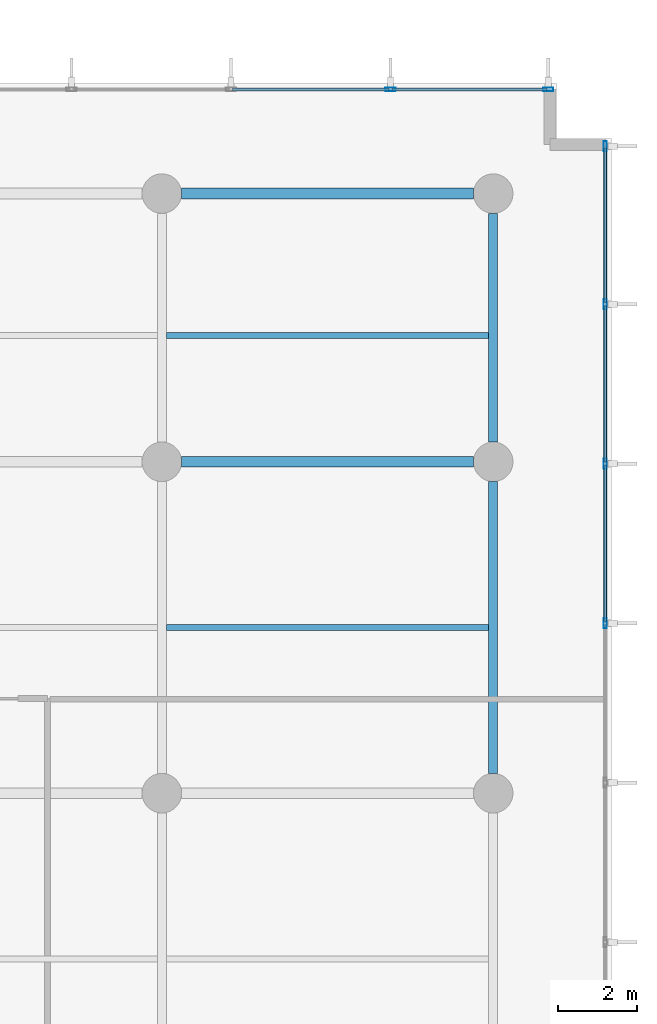
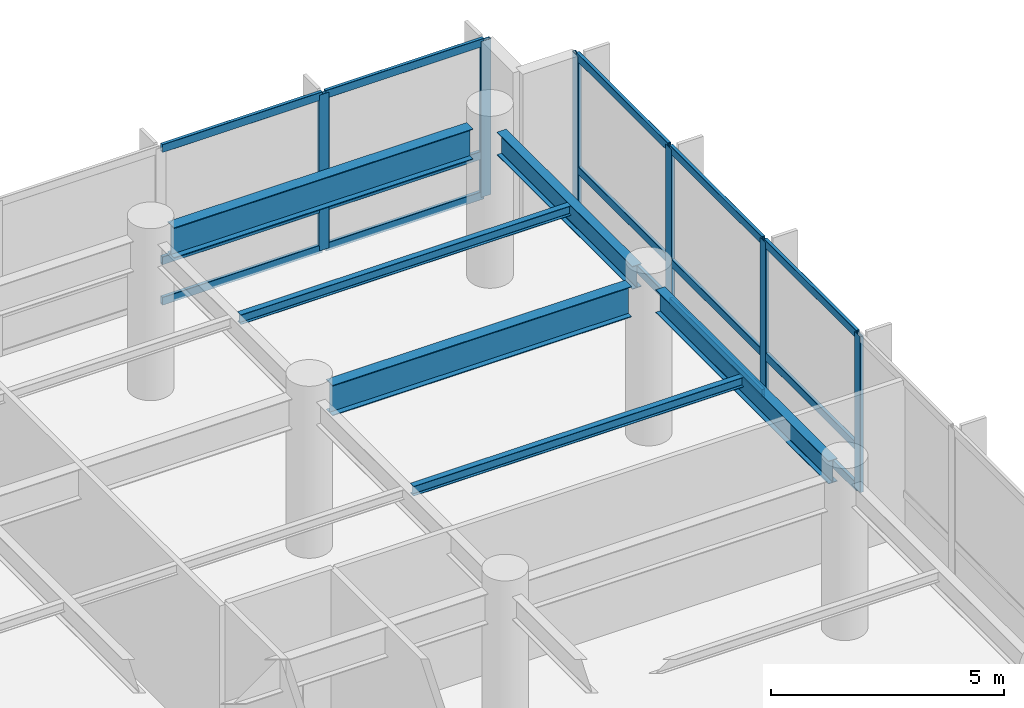
# One storey, part 12 of 23: 21 members, 6 beams, 2 elements without a shape of their own.
"""IFC4 building model written with IfcOpenShell, lengths in metres."""

from ifc_helpers import new_model, si_unit, direction, frame, origin, origin_2d, place, context, subcontext, project, spatial, hollow_rectangle, i_section, extrude, material, layer, layer_set, material_profile, profile_set, type_object, element, aggregate, save


model = new_model("IFC4")

# Units and contexts
model_context = context("Model", 3, precision=1e-05, world=origin(), true_north=direction((0.0, 1.0)))
body_context = subcontext(model_context, "Body", "Model", "MODEL_VIEW")
ifc_project = project(units=[si_unit("LENGTHUNIT", "METRE"), si_unit("AREAUNIT", "SQUARE_METRE"), si_unit("VOLUMEUNIT", "CUBIC_METRE"), si_unit("PLANEANGLEUNIT", "RADIAN"), si_unit("MASSUNIT", "GRAM", prefix="KILO")], contexts=[model_context])

# Site, building, storey
site_placement = place(None, origin())
site = spatial("IfcSite", under=ifc_project, at=site_placement, CompositionType="ELEMENT")
building_placement = place(site_placement, origin())
building = spatial("IfcBuilding", under=site, at=building_placement, Name="Varnakote Quay Hospital", CompositionType="ELEMENT")
storey_placement = place(building_placement, frame((0.0, 0.0, 18.0)))
storey = spatial("IfcBuildingStorey", under=building, at=storey_placement, Name="L04", CompositionType="ELEMENT", Elevation=18.0)

# Beams
ifc_material_1 = material(Name="Structural steel AS/NZS 3679.1 Grade 350 L0 (fy 340 MPa)", Category="steel")
ifc_material_profile_1 = material_profile(ifc_material_1, i_section(OverallWidth=0.22802734375, OverallDepth=0.60205078125, WebThickness=0.010498046875, FlangeThickness=0.014892578125, FilletRadius=0.013916015625, at=origin_2d()), Name="610UB101")
ifc_profile_set_1 = profile_set([ifc_material_profile_1], Name="Structural steel AS/NZS 3679.1 Grade 350 L0 (fy 340 MPa)")
beam_type_1 = type_object("IfcBeamType", Name="BM-STL-610UB101", PredefinedType="BEAM", material=ifc_profile_set_1)
beam_1_placement = place(storey_placement, frame((84.0, 29.300048828125, 3.779052734375), z_axis=(0.0, 1.0, 0.0), x_axis=(-1.0, 0.0, 0.0)))
element("IfcBeam", 1, at=beam_1_placement, inside=storey, type_object=beam_type_1, Name="L04 Primary Tie Beam", PredefinedType="BEAM", context=body_context, shape_type="SweptSolid", body=[
    extrude(i_section(OverallWidth=0.22802734375, OverallDepth=0.60205078125, WebThickness=0.010498046875, FlangeThickness=0.014892578125, FilletRadius=0.013916015625, at=origin_2d()), origin(), (0.0, 0.0, 1.0), 7.39990234375),
])
beam_2_placement = place(storey_placement, frame((84.0, 37.699951171875, 3.779052734375), z_axis=(0.0, 1.0, 0.0), x_axis=(-1.0, 0.0, 0.0)))
element("IfcBeam", 2, at=beam_2_placement, inside=storey, type_object=beam_type_1, Name="L04 Primary Tie Beam", PredefinedType="BEAM", context=body_context, shape_type="SweptSolid", body=[
    extrude(i_section(OverallWidth=0.22802734375, OverallDepth=0.60205078125, WebThickness=0.010498046875, FlangeThickness=0.014892578125, FilletRadius=0.013916015625, at=origin_2d()), origin(), (0.0, 0.0, 1.0), 5.800048828125),
])
ifc_material_2 = material(Name="Structural steel AS/NZS 3678 Grade 350 (fy 340 MPa)", Category="steel")
ifc_material_profile_2 = material_profile(ifc_material_2, i_section(OverallWidth=0.27490234375, OverallDepth=0.800048828125, WebThickness=0.010009765625, FlangeThickness=0.02001953125, at=origin_2d()), Name="800WB146")
ifc_profile_set_2 = profile_set([ifc_material_profile_2], Name="Structural steel AS/NZS 3678 Grade 350 (fy 340 MPa)")
beam_type_2 = type_object("IfcBeamType", Name="BM-STL-800WB146", PredefinedType="BEAM", material=ifc_profile_set_2)
for number, where, z_axis, x_axis, name in (
    (3, (76.10009765625, 37.199951171875, 3.679931640625), (1.0, 0.0, 0.0), (0.0, 1.0, 0.0), "L04 Plated Composite Transfer Beam"),
    (4, (76.10009765625, 44.0, 3.679931640625), (1.0, 0.0, 0.0), (0.0, 1.0, 0.0), "L04 Plated Composite Transfer Beam"),
):
    element("IfcBeam", number, at=place(storey_placement, frame(where, z_axis=z_axis, x_axis=x_axis)), inside=storey, type_object=beam_type_2, Name=name, PredefinedType="BEAM", context=body_context, shape_type="SweptSolid", body=[
        extrude(i_section(OverallWidth=0.27490234375, OverallDepth=0.800048828125, WebThickness=0.010009765625, FlangeThickness=0.02001953125, at=origin_2d()), origin(), (0.0, 0.0, 1.0), 7.39990234375),
    ])

# Curtain wall, members
ifc_material_3 = material(Name="Anodised aluminium 6063-T6 Bronze", Category="aluminium")
ifc_layer = layer(ifc_material_3, 0.175048828125)
ifc_layer_set = layer_set([ifc_layer], Name="Anodised aluminium 6063-T6 Bronze")
curtain_wall_type = type_object("IfcCurtainWallType", Name="CW-SYS-1", PredefinedType="NOTDEFINED", material=ifc_layer_set)
curtain_wall_1_placement = place(storey_placement, origin())
curtain_wall_1 = element("IfcCurtainWall", 5, at=curtain_wall_1_placement, inside=storey, type_object=curtain_wall_type, Name="L04 Unitised Bronze Curtain Wall 1", PredefinedType="NOTDEFINED")
ifc_material_4 = material(Name="Anodised aluminium 6063-T6 Bronze", Category="aluminium")
ifc_material_profile_3 = material_profile(ifc_material_4, hollow_rectangle(XDim=0.0849609375, YDim=0.260009765625, WallThickness=0.0048828125, InnerFilletRadius=0.0048828125, OuterFilletRadius=0.010009765625, at=origin_2d()), Name="CW-MULL-260x85")
ifc_profile_set_3 = profile_set([ifc_material_profile_3], Name="Anodised aluminium 6063-T6 Bronze")
member_type_1 = type_object("IfcMemberType", Name="CW-MULL-260x85", PredefinedType="MULLION", material=ifc_profile_set_3)
member_1_placement = place(storey_placement, frame((86.840087890625, 33.109130859375, 0.0), z_axis=(0.0, 0.0, 1.0), x_axis=(-1.0, 0.0, 0.0)))
member_1 = element("IfcMember", 6, at=member_1_placement, type_object=member_type_1, Name="-1-L04-1 mullion 9", PredefinedType="MULLION", context=body_context, shape_type="SweptSolid", body=[
    extrude(hollow_rectangle(XDim=0.0849609375, YDim=0.260009765625, WallThickness=0.0048828125, InnerFilletRadius=0.0048828125, OuterFilletRadius=0.010009765625, at=origin_2d()), origin(), (0.0, 0.0, 1.0), 4.080078125),
])
member_2_placement = place(storey_placement, frame((86.840087890625, 37.15283203125, 0.0), z_axis=(0.0, 0.0, 1.0), x_axis=(-1.0, 0.0, 0.0)))
member_2 = element("IfcMember", 7, at=member_2_placement, type_object=member_type_1, Name="-1-L04-1 mullion 10", PredefinedType="MULLION", context=body_context, shape_type="SweptSolid", body=[
    extrude(hollow_rectangle(XDim=0.0849609375, YDim=0.260009765625, WallThickness=0.0048828125, InnerFilletRadius=0.0048828125, OuterFilletRadius=0.010009765625, at=origin_2d()), origin(), (0.0, 0.0, 1.0), 4.080078125),
])
member_3_placement = place(storey_placement, frame((86.840087890625, 41.1962890625, 0.0), z_axis=(0.0, 0.0, 1.0), x_axis=(-1.0, 0.0, 0.0)))
member_3 = element("IfcMember", 8, at=member_3_placement, type_object=member_type_1, Name="-1-L04-1 mullion 11", PredefinedType="MULLION", context=body_context, shape_type="SweptSolid", body=[
    extrude(hollow_rectangle(XDim=0.0849609375, YDim=0.260009765625, WallThickness=0.0048828125, InnerFilletRadius=0.0048828125, OuterFilletRadius=0.010009765625, at=origin_2d()), origin(), (0.0, 0.0, 1.0), 4.080078125),
])
member_4_placement = place(storey_placement, frame((86.840087890625, 45.197509765625, 0.0), z_axis=(0.0, 0.0, 1.0), x_axis=(-1.0, 0.0, 0.0)))
member_4 = element("IfcMember", 9, at=member_4_placement, type_object=member_type_1, Name="-1-L04-1 mullion 12", PredefinedType="MULLION", context=body_context, shape_type="SweptSolid", body=[
    extrude(hollow_rectangle(XDim=0.0849609375, YDim=0.260009765625, WallThickness=0.0048828125, InnerFilletRadius=0.0048828125, OuterFilletRadius=0.010009765625, at=origin_2d()), origin(), (0.0, 0.0, 1.0), 4.080078125),
])

curtain_wall_2_placement = place(storey_placement, origin())
curtain_wall_2 = element("IfcCurtainWall", 10, at=curtain_wall_2_placement, inside=storey, type_object=curtain_wall_type, Name="L04 Unitised Bronze Curtain Wall 2", PredefinedType="NOTDEFINED")
member_5_placement = place(storey_placement, frame((85.3974609375, 46.639892578125, 0.0), z_axis=(0.0, 0.0, 1.0), x_axis=(0.0, -1.0, 0.0)))
member_5 = element("IfcMember", 11, at=member_5_placement, type_object=member_type_1, Name="-1-L04-2 mullion 1", PredefinedType="MULLION", context=body_context, shape_type="SweptSolid", body=[
    extrude(hollow_rectangle(XDim=0.0849609375, YDim=0.260009765625, WallThickness=0.0048828125, InnerFilletRadius=0.0048828125, OuterFilletRadius=0.010009765625, at=origin_2d()), origin(), (0.0, 0.0, 1.0), 4.080078125),
])
member_6_placement = place(storey_placement, frame((81.396484375, 46.639892578125, 0.0), z_axis=(0.0, 0.0, 1.0), x_axis=(0.0, -1.0, 0.0)))
member_6 = element("IfcMember", 12, at=member_6_placement, type_object=member_type_1, Name="-1-L04-2 mullion 2", PredefinedType="MULLION", context=body_context, shape_type="SweptSolid", body=[
    extrude(hollow_rectangle(XDim=0.0849609375, YDim=0.260009765625, WallThickness=0.0048828125, InnerFilletRadius=0.0048828125, OuterFilletRadius=0.010009765625, at=origin_2d()), origin(), (0.0, 0.0, 1.0), 4.080078125),
])

# Member
ifc_material_5 = material(Name="Anodised aluminium 6063-T6 Bronze", Category="aluminium")
ifc_material_profile_4 = material_profile(ifc_material_5, hollow_rectangle(XDim=0.0849609375, YDim=0.2099609375, WallThickness=0.00439453125, InnerFilletRadius=0.00439453125, OuterFilletRadius=0.009033203125, at=origin_2d()), Name="CW-TRAN-210x85")
ifc_profile_set_4 = profile_set([ifc_material_profile_4], Name="Anodised aluminium 6063-T6 Bronze")
member_type_2 = type_object("IfcMemberType", Name="CW-TRAN-210x85", PredefinedType="USERDEFINED", material=ifc_profile_set_4)
member_7_placement = place(storey_placement, frame((86.840087890625, 33.151611328125, 0.04248046875), z_axis=(0.0, 1.0, 0.0), x_axis=(-1.0, 0.0, 0.0)))
member_7 = element("IfcMember", 13, at=member_7_placement, type_object=member_type_2, Name="-1-L04-1 transom 9.1", ObjectType="TRANSOM", PredefinedType="USERDEFINED", context=body_context, shape_type="SweptSolid", body=[
    extrude(hollow_rectangle(XDim=0.0849609375, YDim=0.2099609375, WallThickness=0.00439453125, InnerFilletRadius=0.00439453125, OuterFilletRadius=0.009033203125, at=origin_2d()), origin(), (0.0, 0.0, 1.0), 3.95849609375),
])

member_8_placement = place(storey_placement, frame((86.840087890625, 33.151611328125, 1.10009765625), z_axis=(0.0, 1.0, 0.0), x_axis=(-1.0, 0.0, 0.0)))
member_8 = element("IfcMember", 14, at=member_8_placement, type_object=member_type_2, Name="-1-L04-1 transom 9.2", ObjectType="TRANSOM", PredefinedType="USERDEFINED", context=body_context, shape_type="SweptSolid", body=[
    extrude(hollow_rectangle(XDim=0.0849609375, YDim=0.2099609375, WallThickness=0.00439453125, InnerFilletRadius=0.00439453125, OuterFilletRadius=0.009033203125, at=origin_2d()), origin(), (0.0, 0.0, 1.0), 3.95849609375),
])

member_9_placement = place(storey_placement, frame((86.840087890625, 33.151611328125, 4.03759765625), z_axis=(0.0, 1.0, 0.0), x_axis=(-1.0, 0.0, 0.0)))
member_9 = element("IfcMember", 15, at=member_9_placement, type_object=member_type_2, Name="-1-L04-1 transom 9.3", ObjectType="TRANSOM", PredefinedType="USERDEFINED", context=body_context, shape_type="SweptSolid", body=[
    extrude(hollow_rectangle(XDim=0.0849609375, YDim=0.2099609375, WallThickness=0.00439453125, InnerFilletRadius=0.00439453125, OuterFilletRadius=0.009033203125, at=origin_2d()), origin(), (0.0, 0.0, 1.0), 3.95849609375),
])

member_10_placement = place(storey_placement, frame((86.840087890625, 37.1953125, 0.04248046875), z_axis=(0.0, 1.0, 0.0), x_axis=(-1.0, 0.0, 0.0)))
member_10 = element("IfcMember", 16, at=member_10_placement, type_object=member_type_2, Name="-1-L04-1 transom 10.1", ObjectType="TRANSOM", PredefinedType="USERDEFINED", context=body_context, shape_type="SweptSolid", body=[
    extrude(hollow_rectangle(XDim=0.0849609375, YDim=0.2099609375, WallThickness=0.00439453125, InnerFilletRadius=0.00439453125, OuterFilletRadius=0.009033203125, at=origin_2d()), origin(), (0.0, 0.0, 1.0), 3.95849609375),
])

member_11_placement = place(storey_placement, frame((86.840087890625, 37.1953125, 1.10009765625), z_axis=(0.0, 1.0, 0.0), x_axis=(-1.0, 0.0, 0.0)))
member_11 = element("IfcMember", 17, at=member_11_placement, type_object=member_type_2, Name="-1-L04-1 transom 10.2", ObjectType="TRANSOM", PredefinedType="USERDEFINED", context=body_context, shape_type="SweptSolid", body=[
    extrude(hollow_rectangle(XDim=0.0849609375, YDim=0.2099609375, WallThickness=0.00439453125, InnerFilletRadius=0.00439453125, OuterFilletRadius=0.009033203125, at=origin_2d()), origin(), (0.0, 0.0, 1.0), 3.95849609375),
])

member_12_placement = place(storey_placement, frame((86.840087890625, 37.1953125, 4.03759765625), z_axis=(0.0, 1.0, 0.0), x_axis=(-1.0, 0.0, 0.0)))
member_12 = element("IfcMember", 18, at=member_12_placement, type_object=member_type_2, Name="-1-L04-1 transom 10.3", ObjectType="TRANSOM", PredefinedType="USERDEFINED", context=body_context, shape_type="SweptSolid", body=[
    extrude(hollow_rectangle(XDim=0.0849609375, YDim=0.2099609375, WallThickness=0.00439453125, InnerFilletRadius=0.00439453125, OuterFilletRadius=0.009033203125, at=origin_2d()), origin(), (0.0, 0.0, 1.0), 3.95849609375),
])

member_13_placement = place(storey_placement, frame((86.840087890625, 41.23876953125, 0.04248046875), z_axis=(0.0, 1.0, 0.0), x_axis=(-1.0, 0.0, 0.0)))
member_13 = element("IfcMember", 19, at=member_13_placement, type_object=member_type_2, Name="-1-L04-1 transom 11.1", ObjectType="TRANSOM", PredefinedType="USERDEFINED", context=body_context, shape_type="SweptSolid", body=[
    extrude(hollow_rectangle(XDim=0.0849609375, YDim=0.2099609375, WallThickness=0.00439453125, InnerFilletRadius=0.00439453125, OuterFilletRadius=0.009033203125, at=origin_2d()), origin(), (0.0, 0.0, 1.0), 3.916259765625),
])

member_14_placement = place(storey_placement, frame((86.840087890625, 41.23876953125, 1.10009765625), z_axis=(0.0, 1.0, 0.0), x_axis=(-1.0, 0.0, 0.0)))
member_14 = element("IfcMember", 20, at=member_14_placement, type_object=member_type_2, Name="-1-L04-1 transom 11.2", ObjectType="TRANSOM", PredefinedType="USERDEFINED", context=body_context, shape_type="SweptSolid", body=[
    extrude(hollow_rectangle(XDim=0.0849609375, YDim=0.2099609375, WallThickness=0.00439453125, InnerFilletRadius=0.00439453125, OuterFilletRadius=0.009033203125, at=origin_2d()), origin(), (0.0, 0.0, 1.0), 3.916259765625),
])

member_15_placement = place(storey_placement, frame((86.840087890625, 41.23876953125, 4.03759765625), z_axis=(0.0, 1.0, 0.0), x_axis=(-1.0, 0.0, 0.0)))
member_15 = element("IfcMember", 21, at=member_15_placement, type_object=member_type_2, Name="-1-L04-1 transom 11.3", ObjectType="TRANSOM", PredefinedType="USERDEFINED", context=body_context, shape_type="SweptSolid", body=[
    extrude(hollow_rectangle(XDim=0.0849609375, YDim=0.2099609375, WallThickness=0.00439453125, InnerFilletRadius=0.00439453125, OuterFilletRadius=0.009033203125, at=origin_2d()), origin(), (0.0, 0.0, 1.0), 3.916259765625),
])

aggregate(curtain_wall_1, [member_1, member_2, member_3, member_4, member_7, member_8, member_9, member_10, member_11, member_12, member_13, member_14, member_15])

member_16_placement = place(storey_placement, frame((85.35498046875, 46.639892578125, 0.04248046875), z_axis=(-1.0, 0.0, 0.0), x_axis=(0.0, -1.0, 0.0)))
member_16 = element("IfcMember", 22, at=member_16_placement, type_object=member_type_2, Name="-1-L04-2 transom 1.1", ObjectType="TRANSOM", PredefinedType="USERDEFINED", context=body_context, shape_type="SweptSolid", body=[
    extrude(hollow_rectangle(XDim=0.0849609375, YDim=0.2099609375, WallThickness=0.00439453125, InnerFilletRadius=0.00439453125, OuterFilletRadius=0.009033203125, at=origin_2d()), origin(), (0.0, 0.0, 1.0), 3.916015625),
])

member_17_placement = place(storey_placement, frame((85.35498046875, 46.639892578125, 1.10009765625), z_axis=(-1.0, 0.0, 0.0), x_axis=(0.0, -1.0, 0.0)))
member_17 = element("IfcMember", 23, at=member_17_placement, type_object=member_type_2, Name="-1-L04-2 transom 1.2", ObjectType="TRANSOM", PredefinedType="USERDEFINED", context=body_context, shape_type="SweptSolid", body=[
    extrude(hollow_rectangle(XDim=0.0849609375, YDim=0.2099609375, WallThickness=0.00439453125, InnerFilletRadius=0.00439453125, OuterFilletRadius=0.009033203125, at=origin_2d()), origin(), (0.0, 0.0, 1.0), 3.916015625),
])

member_18_placement = place(storey_placement, frame((85.35498046875, 46.639892578125, 4.03759765625), z_axis=(-1.0, 0.0, 0.0), x_axis=(0.0, -1.0, 0.0)))
member_18 = element("IfcMember", 24, at=member_18_placement, type_object=member_type_2, Name="-1-L04-2 transom 1.3", ObjectType="TRANSOM", PredefinedType="USERDEFINED", context=body_context, shape_type="SweptSolid", body=[
    extrude(hollow_rectangle(XDim=0.0849609375, YDim=0.2099609375, WallThickness=0.00439453125, InnerFilletRadius=0.00439453125, OuterFilletRadius=0.009033203125, at=origin_2d()), origin(), (0.0, 0.0, 1.0), 3.916015625),
])

member_19_placement = place(storey_placement, frame((81.35400390625, 46.639892578125, 0.04248046875), z_axis=(-1.0, 0.0, 0.0), x_axis=(0.0, -1.0, 0.0)))
member_19 = element("IfcMember", 25, at=member_19_placement, type_object=member_type_2, Name="-1-L04-2 transom 2.1", ObjectType="TRANSOM", PredefinedType="USERDEFINED", context=body_context, shape_type="SweptSolid", body=[
    extrude(hollow_rectangle(XDim=0.0849609375, YDim=0.2099609375, WallThickness=0.00439453125, InnerFilletRadius=0.00439453125, OuterFilletRadius=0.009033203125, at=origin_2d()), origin(), (0.0, 0.0, 1.0), 3.95849609375),
])

member_20_placement = place(storey_placement, frame((81.35400390625, 46.639892578125, 1.10009765625), z_axis=(-1.0, 0.0, 0.0), x_axis=(0.0, -1.0, 0.0)))
member_20 = element("IfcMember", 26, at=member_20_placement, type_object=member_type_2, Name="-1-L04-2 transom 2.2", ObjectType="TRANSOM", PredefinedType="USERDEFINED", context=body_context, shape_type="SweptSolid", body=[
    extrude(hollow_rectangle(XDim=0.0849609375, YDim=0.2099609375, WallThickness=0.00439453125, InnerFilletRadius=0.00439453125, OuterFilletRadius=0.009033203125, at=origin_2d()), origin(), (0.0, 0.0, 1.0), 3.95849609375),
])

member_21_placement = place(storey_placement, frame((81.35400390625, 46.639892578125, 4.03759765625), z_axis=(-1.0, 0.0, 0.0), x_axis=(0.0, -1.0, 0.0)))
member_21 = element("IfcMember", 27, at=member_21_placement, type_object=member_type_2, Name="-1-L04-2 transom 2.3", ObjectType="TRANSOM", PredefinedType="USERDEFINED", context=body_context, shape_type="SweptSolid", body=[
    extrude(hollow_rectangle(XDim=0.0849609375, YDim=0.2099609375, WallThickness=0.00439453125, InnerFilletRadius=0.00439453125, OuterFilletRadius=0.009033203125, at=origin_2d()), origin(), (0.0, 0.0, 1.0), 3.95849609375),
])

aggregate(curtain_wall_2, [member_5, member_6, member_16, member_17, member_18, member_19, member_20, member_21])

# Beams
ifc_material_6 = material(Name="Structural steel AS/NZS 3679.1 Grade 350 L0 (fy 340 MPa)", Category="steel")
ifc_material_profile_5 = material_profile(ifc_material_6, i_section(OverallWidth=0.14599609375, OverallDepth=0.256103515625, WebThickness=0.00634765625, FlangeThickness=0.010986328125, FilletRadius=0.0087890625, at=origin_2d()), Name="250UB37.3")
ifc_profile_set_5 = profile_set([ifc_material_profile_5], Name="Structural steel AS/NZS 3679.1 Grade 350 L0 (fy 340 MPa)")
beam_type_3 = type_object("IfcBeamType", Name="JST-STL-250UB37-3", PredefinedType="JOIST", material=ifc_profile_set_5)
for number, where, z_axis, x_axis, name in (
    (28, (75.714111328125, 33.0, 3.951904296875), (1.0, 0.0, 0.0), (0.0, 1.0, 0.0), "L04 Composite Floor Joist"),
    (29, (75.714111328125, 40.39990234375, 3.951904296875), (1.0, 0.0, 0.0), (0.0, 1.0, 0.0), "L04 Composite Floor Joist"),
):
    element("IfcBeam", number, at=place(storey_placement, frame(where, z_axis=z_axis, x_axis=x_axis)), inside=storey, type_object=beam_type_3, Name=name, PredefinedType="JOIST", context=body_context, shape_type="SweptSolid", body=[
        extrude(i_section(OverallWidth=0.14599609375, OverallDepth=0.256103515625, WebThickness=0.00634765625, FlangeThickness=0.010986328125, FilletRadius=0.0087890625, at=origin_2d()), origin(), (0.0, 0.0, 1.0), 8.171875),
    ])

save(model, "model.ifc")
